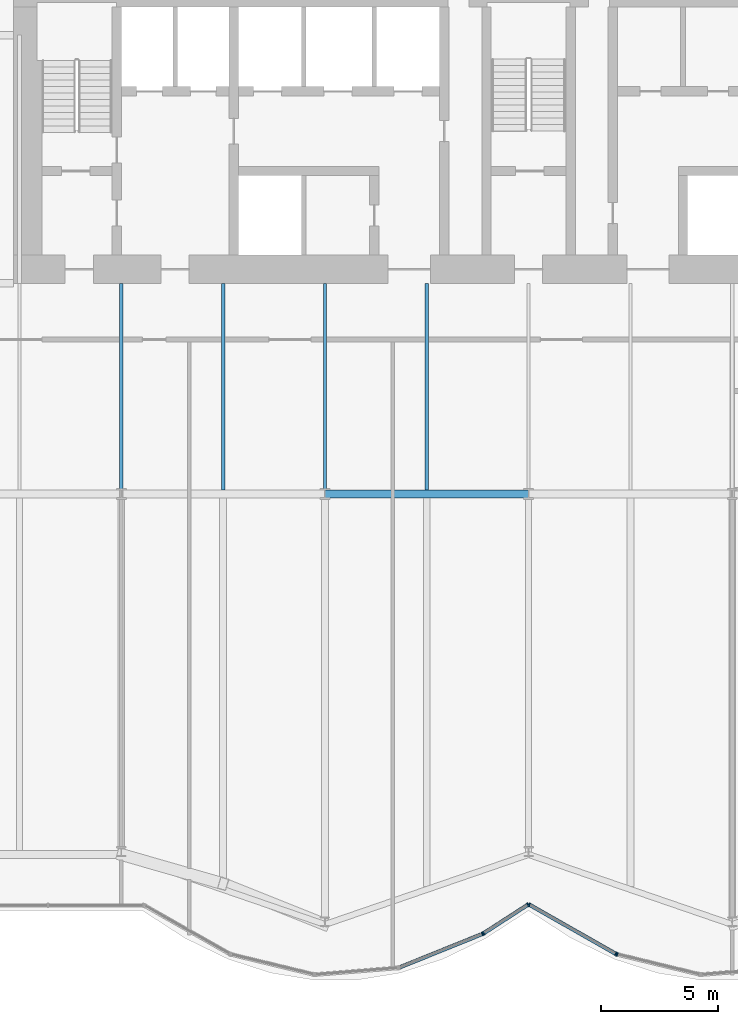
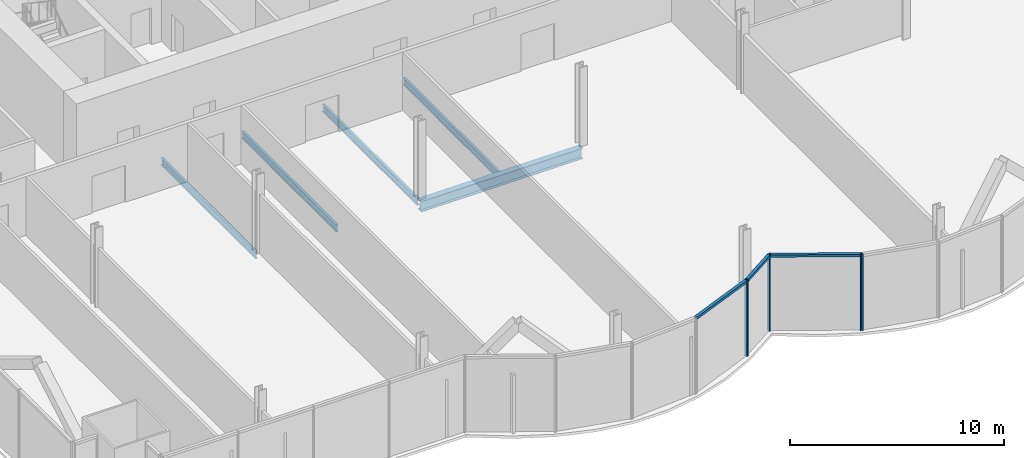
# One storey, part 7 of 21: 9 members, 5 beams, 2 elements without a shape of their own.
"""IFC4 building model written with IfcOpenShell, lengths in metres."""

from ifc_helpers import new_model, si_unit, direction, frame, origin, origin_2d, place, context, subcontext, project, spatial, rectangle, i_section, extrude, material, material_profile, profile_set, type_object, element, aggregate, save


model = new_model("IFC4")

# Units and contexts
model_context = context("Model", 3, precision=1e-05, world=origin(), true_north=direction((0.0, 1.0)))
body_context = subcontext(model_context, "Body", "Model", "MODEL_VIEW")
ifc_project = project(units=[si_unit("LENGTHUNIT", "METRE"), si_unit("AREAUNIT", "SQUARE_METRE"), si_unit("VOLUMEUNIT", "CUBIC_METRE"), si_unit("PLANEANGLEUNIT", "RADIAN"), si_unit("MASSUNIT", "GRAM", prefix="KILO")], contexts=[model_context])

# Site, building, storey
site_placement = place(None, origin())
site = spatial("IfcSite", under=ifc_project, at=site_placement, CompositionType="ELEMENT")
building_placement = place(site_placement, origin())
building = spatial("IfcBuilding", under=site, at=building_placement, Name="Bicima Exchange Tower", CompositionType="ELEMENT")
storey_placement = place(building_placement, frame((0.0, 0.0, 75.5)))
storey = spatial("IfcBuildingStorey", under=building, at=storey_placement, Name="L15", CompositionType="ELEMENT", Elevation=75.5)

# Beams
ifc_material_1 = material(Name="Steel ASTM A992 Gr 50", Category="steel")
ifc_material_profile_1 = material_profile(ifc_material_1, i_section(OverallWidth=0.140380859375, OverallDepth=0.40380859375, WebThickness=0.007080078125, FlangeThickness=0.01123046875, at=origin_2d()))
ifc_profile_set_1 = profile_set([ifc_material_profile_1], Name="Steel ASTM A992 Gr 50")
beam_type_1 = type_object("IfcBeamType", Name="Floor beam W16x31", PredefinedType="JOIST", material=ifc_profile_set_1)
for number, where, z_axis, x_axis, name in (
    (1, (-17.39990234375, -13.0, -0.351806640625), (0.0, -1.0, 0.0), (1.0, 0.0, 0.0), "Floor beam"),
    (2, (-13.050048828125, -13.0, -0.351806640625), (0.0, -1.0, 0.0), (1.0, 0.0, 0.0), "Floor beam"),
    (3, (-8.699951171875, -13.0, -0.351806640625), (0.0, -1.0, 0.0), (1.0, 0.0, 0.0), "Floor beam"),
    (4, (-4.35009765625, -13.0, -0.351806640625), (0.0, -1.0, 0.0), (1.0, 0.0, 0.0), "Floor beam"),
):
    element("IfcBeam", number, at=place(storey_placement, frame(where, z_axis=z_axis, x_axis=x_axis)), inside=storey, type_object=beam_type_1, Name=name, PredefinedType="JOIST", context=body_context, shape_type="SweptSolid", body=[
        extrude(i_section(OverallWidth=0.140380859375, OverallDepth=0.40380859375, WebThickness=0.007080078125, FlangeThickness=0.01123046875, at=origin_2d()), origin(), (0.0, 0.0, 1.0), 8.83740234375),
    ])

# Curtain wall, members
ifc_material_2 = material(Name="Anodised bronze aluminium", Category="aluminium")
curtain_wall_type = type_object("IfcCurtainWallType", Name="Front glass wall", PredefinedType="NOTDEFINED", material=ifc_material_2)
curtain_wall_1_placement = place(storey_placement, origin())
curtain_wall_1 = element("IfcCurtainWall", 5, at=curtain_wall_1_placement, inside=storey, type_object=curtain_wall_type, Name="Front glass wall L15 run 6", PredefinedType="NOTDEFINED")
ifc_material_profile_2 = material_profile(ifc_material_2, rectangle(XDim=0.159912109375, YDim=0.06005859375, at=origin_2d()))
ifc_profile_set_2 = profile_set([ifc_material_profile_2], Name="Anodised bronze aluminium")
member_type_1 = type_object("IfcMemberType", Name="Front glass wall mullion 60 x 160", PredefinedType="MULLION", material=ifc_profile_set_2)
member_1_placement = place(storey_placement, frame((-1.97412109375, -40.799560546875, 0.0), z_axis=(0.0, 0.0, 1.0), x_axis=(-0.374705304, 0.92714396679, 0.0)))
member_1 = element("IfcMember", 6, at=member_1_placement, type_object=member_type_1, Name="Front glass wall mullion 2", PredefinedType="MULLION", context=body_context, shape_type="SweptSolid", body=[
    extrude(rectangle(XDim=0.159912109375, YDim=0.06005859375, at=origin_2d()), origin(), (0.0, 0.0, 1.0), 4.35009765625),
])
member_2_placement = place(storey_placement, frame((-1.921142578125, -40.772216796875, 0.0), z_axis=(0.0, 0.0, 1.0), x_axis=(-0.542897457326, 0.839798994301, 0.0)))
member_2 = element("IfcMember", 7, at=member_2_placement, type_object=member_type_1, Name="Front glass wall mullion 1", PredefinedType="MULLION", context=body_context, shape_type="SweptSolid", body=[
    extrude(rectangle(XDim=0.159912109375, YDim=0.06005859375, at=origin_2d()), origin(), (0.0, 0.0, 1.0), 4.35009765625),
])
member_3_placement = place(storey_placement, frame((-0.025146484375, -39.54638671875, 0.0), z_axis=(0.0, 0.0, 1.0), x_axis=(-0.542897457326, 0.839798994301, 0.0)))
member_3 = element("IfcMember", 8, at=member_3_placement, type_object=member_type_1, Name="Front glass wall mullion 2", PredefinedType="MULLION", context=body_context, shape_type="SweptSolid", body=[
    extrude(rectangle(XDim=0.159912109375, YDim=0.06005859375, at=origin_2d()), origin(), (0.0, 0.0, 1.0), 4.35009765625),
])

curtain_wall_2_placement = place(storey_placement, origin())
curtain_wall_2 = element("IfcCurtainWall", 9, at=curtain_wall_2_placement, inside=storey, type_object=curtain_wall_type, Name="Front glass wall L15 run 11", PredefinedType="NOTDEFINED")
member_4_placement = place(storey_placement, frame((0.026123046875, -39.544921875, 0.0), z_axis=(0.0, 0.0, 1.0), x_axis=(0.494330311331, 0.869274147378, 0.0)))
member_4 = element("IfcMember", 10, at=member_4_placement, type_object=member_type_1, Name="Front glass wall mullion 1", PredefinedType="MULLION", context=body_context, shape_type="SweptSolid", body=[
    extrude(rectangle(XDim=0.159912109375, YDim=0.06005859375, at=origin_2d()), origin(), (0.0, 0.0, 1.0), 4.35009765625),
])
member_5_placement = place(storey_placement, frame((3.7265625, -41.6494140625, 0.0), z_axis=(0.0, 0.0, 1.0), x_axis=(0.494330311331, 0.869274147378, 0.0)))
member_5 = element("IfcMember", 11, at=member_5_placement, type_object=member_type_1, Name="Front glass wall mullion 2", PredefinedType="MULLION", context=body_context, shape_type="SweptSolid", body=[
    extrude(rectangle(XDim=0.159912109375, YDim=0.06005859375, at=origin_2d()), origin(), (0.0, 0.0, 1.0), 4.35009765625),
])
member_6_placement = place(storey_placement, frame((3.781982421875, -41.67138671875, 0.0), z_axis=(0.0, 0.0, 1.0), x_axis=(0.235681529503, 0.971830343553, 0.0)))
member_6 = element("IfcMember", 12, at=member_6_placement, type_object=member_type_1, Name="Front glass wall mullion 1", PredefinedType="MULLION", context=body_context, shape_type="SweptSolid", body=[
    extrude(rectangle(XDim=0.159912109375, YDim=0.06005859375, at=origin_2d()), origin(), (0.0, 0.0, 1.0), 4.35009765625),
])

# Member
ifc_material_profile_3 = material_profile(ifc_material_2, rectangle(XDim=0.159912109375, YDim=0.139892578125, at=origin_2d()))
ifc_profile_set_3 = profile_set([ifc_material_profile_3], Name="Anodised bronze aluminium")
member_type_2 = type_object("IfcMemberType", Name="Front glass wall transom 140 x 160", PredefinedType="USERDEFINED", material=ifc_profile_set_3)
member_7_placement = place(storey_placement, frame((-5.498291015625, -42.223876953125, 4.280029296875), z_axis=(0.927140215882, 0.374714584842, 0.0), x_axis=(-0.374714584842, 0.927140215882, 0.0)))
member_7 = element("IfcMember", 13, at=member_7_placement, type_object=member_type_2, Name="Front glass wall transom 1.1", ObjectType="TRANSOM", PredefinedType="USERDEFINED", context=body_context, shape_type="SweptSolid", body=[
    extrude(rectangle(XDim=0.159912109375, YDim=0.139892578125, at=origin_2d()), origin(), (0.0, 0.0, 1.0), 3.77099609375),
])

member_8_placement = place(storey_placement, frame((-1.89599609375, -40.755859375, 4.280029296875), z_axis=(0.839811483481, 0.542878137536, 0.0), x_axis=(-0.542878137536, 0.839811483481, 0.0)))
member_8 = element("IfcMember", 14, at=member_8_placement, type_object=member_type_2, Name="Front glass wall transom 1.1", ObjectType="TRANSOM", PredefinedType="USERDEFINED", context=body_context, shape_type="SweptSolid", body=[
    extrude(rectangle(XDim=0.159912109375, YDim=0.139892578125, at=origin_2d()), origin(), (0.0, 0.0, 1.0), 2.19775390625),
])

aggregate(curtain_wall_1, [member_1, member_7, member_2, member_3, member_8])

member_9_placement = place(storey_placement, frame((0.05224609375, -39.559814453125, 4.280029296875), z_axis=(0.869265121745, -0.494346182466, 0.0), x_axis=(0.494346182466, 0.869265121745, 0.0)))
member_9 = element("IfcMember", 15, at=member_9_placement, type_object=member_type_2, Name="Front glass wall transom 1.1", ObjectType="TRANSOM", PredefinedType="USERDEFINED", context=body_context, shape_type="SweptSolid", body=[
    extrude(rectangle(XDim=0.159912109375, YDim=0.139892578125, at=origin_2d()), origin(), (0.0, 0.0, 1.0), 4.19677734375),
])

aggregate(curtain_wall_2, [member_4, member_5, member_9, member_6])

# Beam
ifc_material_profile_4 = material_profile(ifc_material_1, i_section(OverallWidth=0.3251953125, OverallDepth=0.612060546875, WebThickness=0.0126953125, FlangeThickness=0.01904296875, at=origin_2d()))
ifc_profile_set_4 = profile_set([ifc_material_profile_4], Name="Steel ASTM A992 Gr 50")
beam_type_2 = type_object("IfcBeamType", Name="Row girder W24x104", PredefinedType="BEAM", material=ifc_profile_set_4)
beam_placement = place(storey_placement, frame((-8.699951171875, -22.0, -0.4560546875), z_axis=(1.0, 0.0, 0.0), x_axis=(0.0, 1.0, 0.0)))
element("IfcBeam", 16, at=beam_placement, inside=storey, type_object=beam_type_2, Name="Row girder", PredefinedType="BEAM", context=body_context, shape_type="SweptSolid", body=[
    extrude(i_section(OverallWidth=0.3251953125, OverallDepth=0.612060546875, WebThickness=0.0126953125, FlangeThickness=0.01904296875, at=origin_2d()), origin(), (0.0, 0.0, 1.0), 8.699951171875),
])

save(model, "model.ifc")
